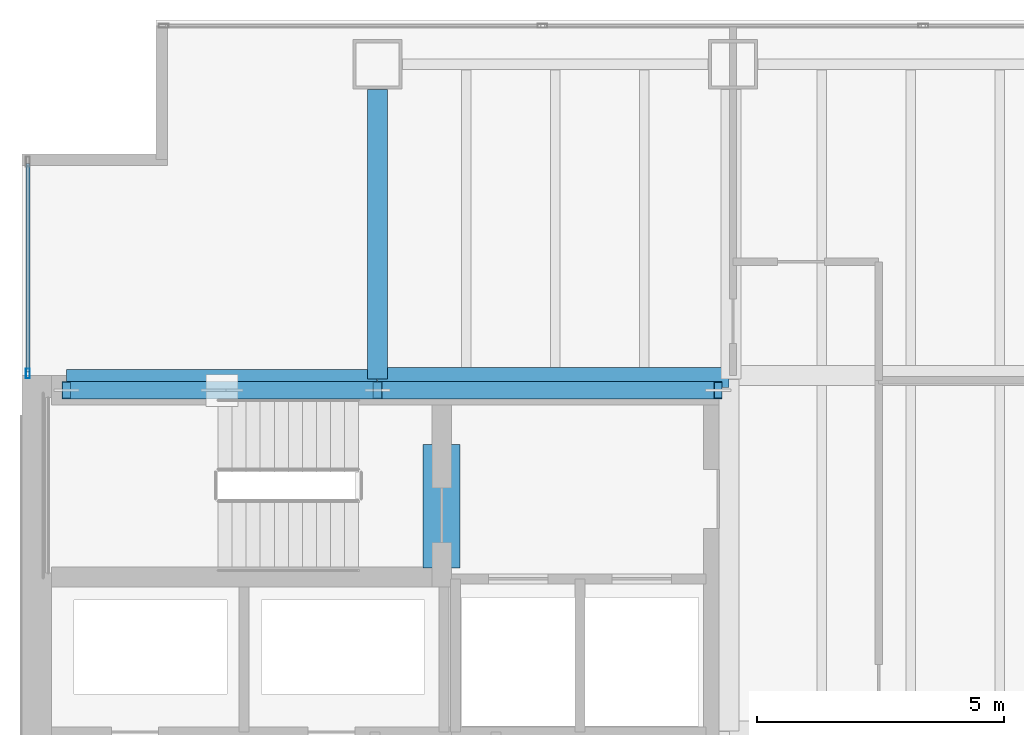
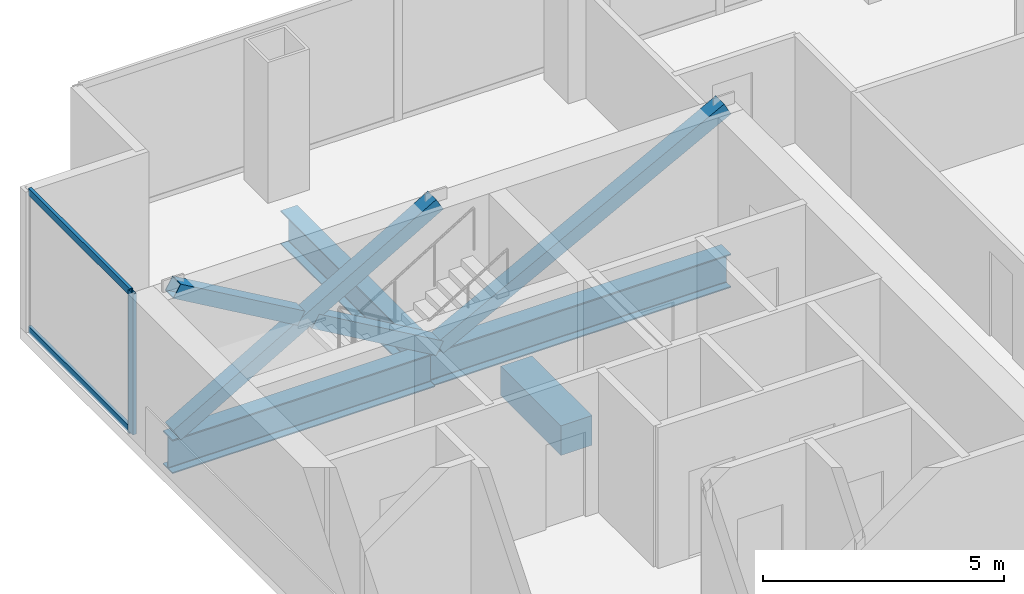
# One storey, part 14 of 25: 7 members, 4 beams, 1 element without a shape of its own.
"""IFC4 building model written with IfcOpenShell, lengths in metres."""

import ifcopenshell
import ifcopenshell.guid

model = None  # the IFC model being written
_history = None  # IfcOwnerHistory: only IFC2X3 demands one
_inside = {}  # id of a spatial element -> (the spatial element, [elements in it])
_under = {}  # id of a project, library or spatial element -> (it, [spatial elements below it])
_declared = {}  # id of a project -> (the project, [libraries it declares])
_typed = {}  # id of a type object -> (the type object, [elements of that type])
_made_of = {}  # id of a material, layer set ... -> (it, [elements and type objects made of it])


def new_model(schema):
    """Start an empty IFC model of exactly this schema.

    Asked for "IFC4X3", IfcOpenShell would pick the latest addendum, in which some entities
    have other attributes; the version numbers below select the first issue.
    IFC2X3 requires an IfcOwnerHistory on every rooted entity: one is made here for all.
    """
    global model, _history
    if schema == "IFC4X3":
        model = ifcopenshell.file(schema_version=(4, 3, 0, 0))
    else:
        model = ifcopenshell.file(schema=schema)
    _inside.clear()
    _under.clear()
    _declared.clear()
    _typed.clear()
    _made_of.clear()
    _history = None
    if model.schema == "IFC2X3":
        org = make("IfcOrganization", Name="unknown")
        user = make(
            "IfcPersonAndOrganization",
            ThePerson=make("IfcPerson", FamilyName="unknown"),
            TheOrganization=org,
        )
        app = make(
            "IfcApplication",
            ApplicationDeveloper=org,
            Version="unknown",
            ApplicationFullName="unknown",
            ApplicationIdentifier="unknown",
        )
        _history = make(
            "IfcOwnerHistory",
            OwningUser=user,
            OwningApplication=app,
            ChangeAction="ADDED",
            CreationDate=0,
        )
    return model


def make(cls, **values):
    """One entity of the class cls with the attributes given. An attribute that is None is left unset."""
    return model.create_entity(
        cls, **{name: value for name, value in values.items() if value is not None}
    )


def rooted(cls, **values):
    """An entity with a GlobalId (a new one), such as an element, a storey or a relation."""
    return make(cls, GlobalId=ifcopenshell.guid.new(), OwnerHistory=_history, **values)


def si_unit(unit_type, name, prefix=None):
    """IfcSIUnit, for example si_unit("LENGTHUNIT", "METRE", prefix="MILLI")."""
    return make("IfcSIUnit", UnitType=unit_type, Prefix=prefix, Name=name)


def assignment(units):
    """IfcUnitAssignment: the units of a project."""
    return None if units is None else make("IfcUnitAssignment", Units=units)


def point(xyz):
    """IfcCartesianPoint."""
    return None if xyz is None else make("IfcCartesianPoint", Coordinates=xyz)


def direction(xyz):
    """IfcDirection."""
    return None if xyz is None else make("IfcDirection", DirectionRatios=xyz)


def frame(location, z_axis=None, x_axis=None):
    """IfcAxis2Placement3D, a coordinate frame: its origin and axes. An axis left out is left unset."""
    return make(
        "IfcAxis2Placement3D",
        Location=point(location),
        Axis=direction(z_axis),
        RefDirection=direction(x_axis),
    )


def frame_2d(location, x_axis=None):
    """IfcAxis2Placement2D, a coordinate frame in the plane: its origin and x axis."""
    return make(
        "IfcAxis2Placement2D", Location=point(location), RefDirection=direction(x_axis)
    )


def origin():
    """The frame at (0, 0, 0) with its axes left unset."""
    return frame((0.0, 0.0, 0.0))


def origin_2d():
    """The frame at (0, 0) in the plane with its x axis left unset."""
    return frame_2d((0.0, 0.0))


def place(relative_to, where):
    """IfcLocalPlacement: puts the frame where relative to a parent placement (None: the world)."""
    return make(
        "IfcLocalPlacement", PlacementRelTo=relative_to, RelativePlacement=where
    )


def context(
    kind, dimensions, precision=None, world=None, true_north=None, identifier=None
):
    """IfcGeometricRepresentationContext, for example the 3D "Model" context."""
    return make(
        "IfcGeometricRepresentationContext",
        ContextIdentifier=identifier,
        ContextType=kind,
        CoordinateSpaceDimension=dimensions,
        Precision=precision,
        WorldCoordinateSystem=world,
        TrueNorth=true_north,
    )


def subcontext(parent, identifier, kind, view, scale=None):
    """IfcGeometricRepresentationSubContext, for example "Body" below "Model"."""
    return make(
        "IfcGeometricRepresentationSubContext",
        ContextIdentifier=identifier,
        ContextType=kind,
        ParentContext=parent,
        TargetScale=scale,
        TargetView=view,
    )


def project(units=None, contexts=None):
    """IfcProject with its units and contexts."""
    return rooted(
        "IfcProject",
        Name="project",
        RepresentationContexts=contexts,
        UnitsInContext=assignment(units),
    )


def spatial(cls, under=None, at=None, **own):
    """A site, building, storey or space (cls), placed at a placement, below another one or the project."""
    s = rooted(cls, ObjectPlacement=at, **own)
    if under is not None:
        _under.setdefault(under.id(), (under, []))[1].append(s)
    return s


def profile(cls, at=None, kind="AREA", **sizes):
    """A parametric profile (cls). Its sizes go by their IFC names, for example OverallWidth=200.0."""
    return make(cls, ProfileType=kind, Position=at, **sizes)


def rectangle(**sizes):
    """IfcRectangleProfileDef."""
    return profile("IfcRectangleProfileDef", **sizes)


def hollow_rectangle(**sizes):
    """IfcRectangleHollowProfileDef."""
    return profile("IfcRectangleHollowProfileDef", **sizes)


def i_section(**sizes):
    """IfcIShapeProfileDef."""
    return profile("IfcIShapeProfileDef", **sizes)


def extrude(swept, where, along, depth):
    """IfcExtrudedAreaSolid: the profile swept, set in the frame where, extruded along a direction by depth."""
    return make(
        "IfcExtrudedAreaSolid",
        SweptArea=swept,
        Position=where,
        ExtrudedDirection=direction(along),
        Depth=depth,
    )


def shape(context_of_items, identifier, shape_type, items):
    """IfcShapeRepresentation: the items that make up one representation, for example the "Body"."""
    return make(
        "IfcShapeRepresentation",
        ContextOfItems=context_of_items,
        RepresentationIdentifier=identifier,
        RepresentationType=shape_type,
        Items=items,
    )


def material(Name=None, Category=None):
    """IfcMaterial."""
    return make("IfcMaterial", Name=Name, Category=Category)


def material_profile(
    of_material, cross_section, Name=None, Category=None, Priority=None
):
    """IfcMaterialProfile: a cross section and its material."""
    return make(
        "IfcMaterialProfile",
        Name=Name,
        Material=of_material,
        Profile=cross_section,
        Priority=Priority,
        Category=Category,
    )


def profile_set(profiles, Name=None, composite=None):
    """IfcMaterialProfileSet."""
    return make(
        "IfcMaterialProfileSet",
        Name=Name,
        MaterialProfiles=profiles,
        CompositeProfile=composite,
    )


def made_of(thing, what):
    """Note that an element or type object is made of a material, layer set ...; save() writes the relation."""
    if what is not None:
        _made_of.setdefault(what.id(), (what, []))[1].append(thing)
    return thing


def type_object(cls, material=None, **own):
    """A type object (cls), such as IfcWallType, which elements share."""
    return made_of(rooted(cls, **own), material)


def element(
    cls,
    number,
    at=None,
    inside=None,
    cuts=None,
    type_object=None,
    material=None,
    context=None,
    identifier="Body",
    shape_type=None,
    held_by="IfcProductDefinitionShape",
    body=None,
    shapes=None,
    **own,
):
    """One element of the class cls, such as IfcWall. Its Tag is "e" and its number.

    at: its placement. inside: the storey or other place that contains it. cuts: it is an
    opening in that element (IfcRelVoidsElement). A single representation is given by context,
    identifier, shape_type and body (its items); several are given by shapes. held_by: the class
    of the entity that holds the representations. save() writes the other relations.
    """
    e = rooted(cls, Tag="e%d" % number, ObjectPlacement=at, **own)
    if body is not None:
        shapes = [shape(context, identifier, shape_type, body)]
    if shapes is not None:
        e.Representation = make(held_by, Representations=shapes)
    if inside is not None:
        _inside.setdefault(inside.id(), (inside, []))[1].append(e)
    if cuts is not None:
        rooted(
            "IfcRelVoidsElement", RelatingBuildingElement=cuts, RelatedOpeningElement=e
        )
    if type_object is not None:
        _typed.setdefault(type_object.id(), (type_object, []))[1].append(e)
    return made_of(e, material)


def aggregate(whole, parts):
    """IfcRelAggregates: a whole, such as a stair, and the parts it consists of."""
    return rooted("IfcRelAggregates", RelatingObject=whole, RelatedObjects=parts)


def save(model, path):
    """Write the relations noted so far, then the file.

    IfcRelAggregates (storeys below a building ...), IfcRelContainedInSpatialStructure (elements
    in a storey), IfcRelDefinesByType, IfcRelAssociatesMaterial and IfcRelDeclares: one each for
    every whole, place, type object, material and project.
    """
    for whole, parts in _under.values():
        aggregate(whole, parts)
    for where, things in _inside.values():
        rooted(
            "IfcRelContainedInSpatialStructure",
            RelatedElements=things,
            RelatingStructure=where,
        )
    for kind, things in _typed.values():
        rooted("IfcRelDefinesByType", RelatedObjects=things, RelatingType=kind)
    for what, things in _made_of.values():
        rooted("IfcRelAssociatesMaterial", RelatedObjects=things, RelatingMaterial=what)
    for by, libraries in _declared.values():
        rooted("IfcRelDeclares", RelatingContext=by, RelatedDefinitions=libraries)
    model.write(path)


model = new_model("IFC4")

# Units and contexts
model_context = context("Model", 3, precision=1e-05, world=origin(), true_north=direction((0.0, 1.0)))
body_context = subcontext(model_context, "Body", "Model", "MODEL_VIEW")
ifc_project = project(units=[si_unit("LENGTHUNIT", "METRE"), si_unit("AREAUNIT", "SQUARE_METRE"), si_unit("VOLUMEUNIT", "CUBIC_METRE"), si_unit("PLANEANGLEUNIT", "RADIAN"), si_unit("MASSUNIT", "GRAM", prefix="KILO")], contexts=[model_context])

# Site, building, storey
site_placement = place(None, origin())
site = spatial("IfcSite", under=ifc_project, at=site_placement, CompositionType="ELEMENT")
building_placement = place(site_placement, origin())
building = spatial("IfcBuilding", under=site, at=building_placement, Name="Cobrela Telecom Tower", CompositionType="ELEMENT")
storey_placement = place(building_placement, frame((0.0, 0.0, 61.949951171875)))
storey = spatial("IfcBuildingStorey", under=building, at=storey_placement, Name="L15", CompositionType="ELEMENT", Elevation=61.949951171875)

# Beams
ifc_material_1 = material(Name="Concrete C40/50", Category="concrete")
ifc_material_profile_1 = material_profile(ifc_material_1, rectangle(XDim=0.75, YDim=0.75, at=origin_2d()), Name="RC 750x750")
ifc_profile_set_1 = profile_set([ifc_material_profile_1], Name="Concrete C40/50")
beam_type_1 = type_object("IfcBeamType", Name="BM-COUP-RC", PredefinedType="LINTEL", material=ifc_profile_set_1)
beam_1_placement = place(storey_placement, frame((8.5, 32.10009765625, -0.6298828125), z_axis=(0.0, 1.0, 0.0), x_axis=(-1.0, 0.0, 0.0)))
element("IfcBeam", 1, at=beam_1_placement, inside=storey, type_object=beam_type_1, Name="L15 Core Coupling Lintel Beam", PredefinedType="LINTEL", context=body_context, shape_type="SweptSolid", body=[
    extrude(rectangle(XDim=0.75, YDim=0.75, at=origin_2d()), origin(), (0.0, 0.0, 1.0), 2.5),
])
ifc_material_2 = material(Name="Steel ASTM A992 Grade 50", Category="steel")
ifc_material_profile_2 = material_profile(ifc_material_2, i_section(OverallWidth=0.39892578125, OverallDepth=0.85595703125, WebThickness=0.018310546875, FlangeThickness=0.029296875, FilletRadius=0.02001953125, at=origin_2d()), Name="W33X201")
ifc_profile_set_2 = profile_set([ifc_material_profile_2], Name="Steel ASTM A992 Grade 50")
beam_type_2 = type_object("IfcBeamType", Name="BM-GIRD-03", PredefinedType="USERDEFINED", material=ifc_profile_set_2)
beam_2_placement = place(storey_placement, frame((0.905029296875, 35.919921875, -0.7080078125), z_axis=(1.0, 0.0, 0.0), x_axis=(0.0, 1.0, 0.0)))
element("IfcBeam", 2, at=beam_2_placement, inside=storey, type_object=beam_type_2, Name="L15 Primary Girder X25", ObjectType="GIRDER", PredefinedType="USERDEFINED", context=body_context, shape_type="SweptSolid", body=[
    extrude(i_section(OverallWidth=0.39892578125, OverallDepth=0.85595703125, WebThickness=0.018310546875, FlangeThickness=0.029296875, FilletRadius=0.02001953125, at=origin_2d()), origin(), (0.0, 0.0, 1.0), 6.2900390625),
])
beam_3_placement = place(storey_placement, frame((7.205078125, 35.9599609375, -0.7080078125), z_axis=(1.0, 0.0, 0.0), x_axis=(0.0, 1.0, 0.0)))
element("IfcBeam", 3, at=beam_3_placement, inside=storey, type_object=beam_type_2, Name="L15 Primary Girder X26", ObjectType="GIRDER", PredefinedType="USERDEFINED", context=body_context, shape_type="SweptSolid", body=[
    extrude(i_section(OverallWidth=0.39892578125, OverallDepth=0.85595703125, WebThickness=0.018310546875, FlangeThickness=0.029296875, FilletRadius=0.02001953125, at=origin_2d()), origin(), (0.0, 0.0, 1.0), 7.10986328125),
])
beam_4_placement = place(storey_placement, frame((7.199951171875, 35.925048828125, -0.7080078125), z_axis=(0.0, 1.0, 0.0), x_axis=(-1.0, 0.0, 0.0)))
element("IfcBeam", 4, at=beam_4_placement, inside=storey, type_object=beam_type_2, Name="L15 Primary Girder Y33", ObjectType="GIRDER", PredefinedType="USERDEFINED", context=body_context, shape_type="SweptSolid", body=[
    extrude(i_section(OverallWidth=0.39892578125, OverallDepth=0.85595703125, WebThickness=0.018310546875, FlangeThickness=0.029296875, FilletRadius=0.02001953125, at=origin_2d()), origin(), (0.0, 0.0, 1.0), 5.869873046875),
])

# Curtain wall, members
ifc_material_3 = material(Name="Anodized Bronze Aluminium 6063-T6", Category="aluminium")
curtain_wall_type = type_object("IfcCurtainWallType", Name="CW-SYS-DATA", PredefinedType="USERDEFINED", material=ifc_material_3)
curtain_wall_placement = place(storey_placement, origin())
curtain_wall = element("IfcCurtainWall", 5, at=curtain_wall_placement, inside=storey, type_object=curtain_wall_type, Name="L15 Unitised Bronze Curtain Wall 04", ObjectType="UNITISED CURTAIN WALL", PredefinedType="USERDEFINED")
ifc_material_profile_3 = material_profile(ifc_material_3, hollow_rectangle(XDim=0.080078125, YDim=0.199951171875, WallThickness=0.00390625, at=origin_2d()), Name="ALU 80x200x4")
ifc_profile_set_3 = profile_set([ifc_material_profile_3], Name="Anodized Bronze Aluminium 6063-T6")
member_type_1 = type_object("IfcMemberType", Name="CW-SYS-DATA-MUL", PredefinedType="MULLION", material=ifc_profile_set_3)
member_1_placement = place(storey_placement, frame((0.1201171875, 36.0400390625, 0.0), z_axis=(0.0, 0.0, 1.0), x_axis=(-1.0, 0.0, 0.0)))
member_1 = element("IfcMember", 6, at=member_1_placement, type_object=member_type_1, Name="CW-DATA mullion 1", PredefinedType="MULLION", context=body_context, shape_type="SweptSolid", body=[
    extrude(hollow_rectangle(XDim=0.080078125, YDim=0.199951171875, WallThickness=0.00390625, at=origin_2d()), origin(), (0.0, 0.0, 1.0), 3.570068359375),
])
ifc_material_profile_4 = material_profile(ifc_material_3, hollow_rectangle(XDim=0.074951171875, YDim=0.179931640625, WallThickness=0.00390625, at=origin_2d()), Name="ALU 75x180x4")
ifc_profile_set_4 = profile_set([ifc_material_profile_4], Name="Anodized Bronze Aluminium 6063-T6")
member_type_2 = type_object("IfcMemberType", Name="CW-SYS-DATA-TRN", PredefinedType="USERDEFINED", material=ifc_profile_set_4)
member_2_placement = place(storey_placement, frame((0.1201171875, 36.080078125, 0.03759765625), z_axis=(0.0, 1.0, 0.0), x_axis=(-1.0, 0.0, 0.0)))
member_2 = element("IfcMember", 7, at=member_2_placement, type_object=member_type_2, Name="CW-DATA transom 1.1", ObjectType="TRANSOM", PredefinedType="USERDEFINED", context=body_context, shape_type="SweptSolid", body=[
    extrude(hollow_rectangle(XDim=0.074951171875, YDim=0.179931640625, WallThickness=0.00390625, at=origin_2d()), origin(), (0.0, 0.0, 1.0), 4.2099609375),
])
member_3_placement = place(storey_placement, frame((0.1201171875, 36.080078125, 3.532470703125), z_axis=(0.0, 1.0, 0.0), x_axis=(-1.0, 0.0, 0.0)))
member_3 = element("IfcMember", 8, at=member_3_placement, type_object=member_type_2, Name="CW-DATA transom 1.2", ObjectType="TRANSOM", PredefinedType="USERDEFINED", context=body_context, shape_type="SweptSolid", body=[
    extrude(hollow_rectangle(XDim=0.074951171875, YDim=0.179931640625, WallThickness=0.00390625, at=origin_2d()), origin(), (0.0, 0.0, 1.0), 4.2099609375),
])
aggregate(curtain_wall, [member_1, member_2, member_3])

# Members
ifc_material_4 = material(Name="Steel ASTM A572 Grade 50", Category="steel")
ifc_material_profile_5 = material_profile(ifc_material_4, hollow_rectangle(XDim=0.35009765625, YDim=0.35009765625, WallThickness=0.01611328125, at=origin_2d()), Name="HSS 350x350x16")
ifc_profile_set_5 = profile_set([ifc_material_profile_5], Name="Steel ASTM A572 Grade 50")
member_type_3 = type_object("IfcMemberType", Name="MBR-EXO-02", PredefinedType="BRACE", material=ifc_profile_set_5)
member_4_placement = place(storey_placement, frame((0.89990234375, 35.699951171875, -0.0400390625), z_axis=(0.865262480916, 0.0, 0.501319099096), x_axis=(0.0, 1.0, 0.0)))
element("IfcMember", 9, at=member_4_placement, inside=storey, type_object=member_type_3, Name="L15 Core Flange Steel X-Brace Continuous A", PredefinedType="BRACE", context=body_context, shape_type="SweptSolid", body=[
    extrude(hollow_rectangle(XDim=0.35009765625, YDim=0.35009765625, WallThickness=0.01611328125, at=origin_2d()), origin(), (0.0, 0.0, 1.0), 7.281005859375),
])
for number, where, z_axis, x_axis, name in (
    (10, (7.199951171875, 35.699951171875, -0.0400390625), (-0.865266106373, 0.0, 0.50131284161), (0.0, -1.0, 0.0), "L15 Core Flange Steel X-Brace Split B1"),
    (11, (3.88037109375, 35.699951171875, 1.88330078125), (-0.865266106373, 0.0, 0.50131284161), (0.0, -1.0, 0.0), "L15 Core Flange Steel X-Brace Split B2"),
):
    element("IfcMember", number, at=place(storey_placement, frame(where, z_axis=z_axis, x_axis=x_axis)), inside=storey, type_object=member_type_3, Name=name, PredefinedType="BRACE", context=body_context, shape_type="SweptSolid", body=[
        extrude(hollow_rectangle(XDim=0.35009765625, YDim=0.35009765625, WallThickness=0.01611328125, at=origin_2d()), origin(), (0.0, 0.0, 1.0), 3.444580078125),
    ])
member_5_placement = place(storey_placement, frame((7.199951171875, 35.699951171875, -0.0400390625), z_axis=(0.883940020796, 0.0, 0.46760029901), x_axis=(0.0, 1.0, 0.0)))
element("IfcMember", 12, at=member_5_placement, inside=storey, type_object=member_type_3, Name="L15 Core Flange Steel Brace N2", PredefinedType="BRACE", context=body_context, shape_type="SweptSolid", body=[
    extrude(hollow_rectangle(XDim=0.35009765625, YDim=0.35009765625, WallThickness=0.01611328125, at=origin_2d()), origin(), (0.0, 0.0, 1.0), 7.80615234375),
])

save(model, "model.ifc")
